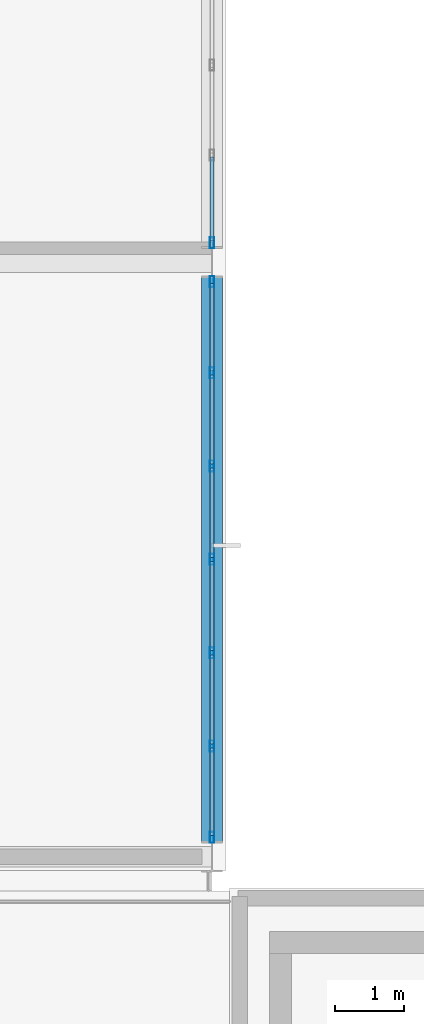
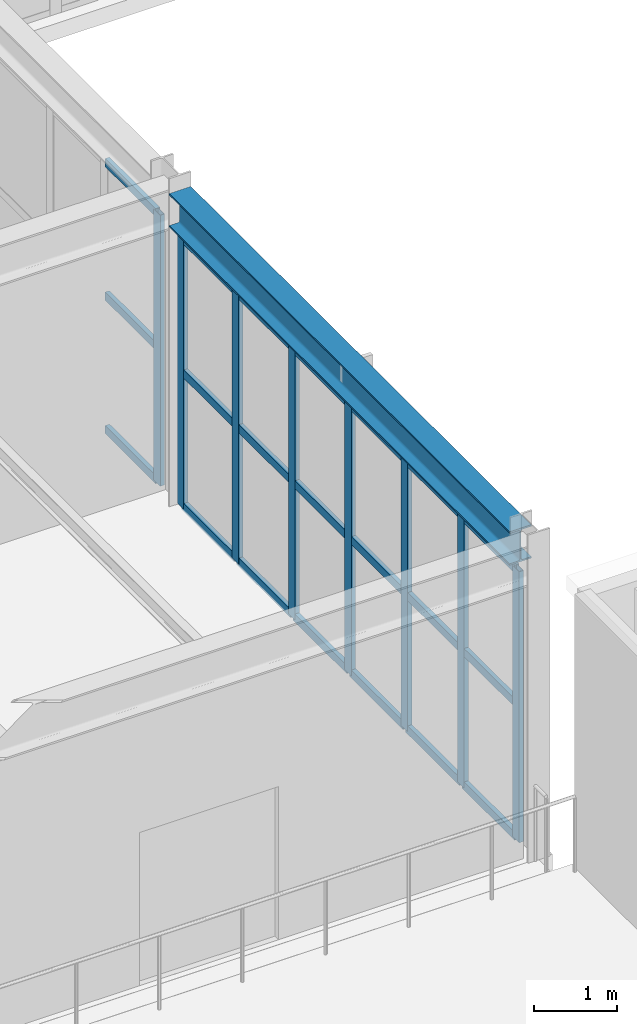
# One storey, part 39 of 112: 29 members, 1 beam, 2 elements without a shape of their own.
"""IFC4 building model written with IfcOpenShell, lengths in metres."""

from ifc_helpers import new_model, si_unit, direction, frame, origin, origin_2d, place, context, subcontext, project, spatial, hollow_rectangle, i_section, extrude, material, material_profile, profile_set, type_object, element, aggregate, save


model = new_model("IFC4")

# Units and contexts
model_context = context("Model", 3, precision=1e-05, world=origin(), true_north=direction((0.0, 1.0)))
body_context = subcontext(model_context, "Body", "Model", "MODEL_VIEW")
ifc_project = project(units=[si_unit("LENGTHUNIT", "METRE"), si_unit("AREAUNIT", "SQUARE_METRE"), si_unit("VOLUMEUNIT", "CUBIC_METRE"), si_unit("PLANEANGLEUNIT", "RADIAN"), si_unit("MASSUNIT", "GRAM", prefix="KILO")], contexts=[model_context])

# Site, building, storey
site_placement = place(None, origin())
site = spatial("IfcSite", under=ifc_project, at=site_placement, CompositionType="ELEMENT")
building_placement = place(site_placement, origin())
building = spatial("IfcBuilding", under=site, at=building_placement, Name="Kaldris Quays Convention Centre", CompositionType="ELEMENT")
storey_placement = place(building_placement, frame((0.0, 0.0, 16.800048828125)))
storey = spatial("IfcBuildingStorey", under=building, at=storey_placement, Name="L03", CompositionType="ELEMENT", Elevation=16.800048828125)

# Curtain wall, members
ifc_material_1 = material(Name="Anodized aluminium AW-6060 and triple glazing", Category="aluminium")
curtain_wall_type = type_object("IfcCurtainWallType", Name="UNITISED CURTAIN WALL CW04", PredefinedType="NOTDEFINED", material=ifc_material_1)
curtain_wall_1_placement = place(storey_placement, origin())
curtain_wall_1 = element("IfcCurtainWall", 1, at=curtain_wall_1_placement, inside=storey, type_object=curtain_wall_type, Name="L03 Unitised Curtain Wall CW04 146", PredefinedType="NOTDEFINED")
ifc_material_2 = material(Name="Anodized aluminium AW-6060", Category="aluminium")
ifc_material_profile_1 = material_profile(ifc_material_2, hollow_rectangle(XDim=0.06005859375, YDim=0.159912109375, WallThickness=0.00390625, at=origin_2d()), Name="RHS 160x60x4")
ifc_profile_set_1 = profile_set([ifc_material_profile_1], Name="Anodized aluminium AW-6060")
member_type_1 = type_object("IfcMemberType", Name="CURTAIN MULLION CWM1", PredefinedType="MULLION", material=ifc_profile_set_1)
member_1_placement = place(storey_placement, frame((164.0, 38.280029296875, 0.0), z_axis=(0.0, 0.0, 1.0), x_axis=(-1.0, 0.0, 0.0)))
member_1 = element("IfcMember", 2, at=member_1_placement, type_object=member_type_1, Name="CW04 mullion 1", PredefinedType="MULLION", context=body_context, shape_type="SweptSolid", body=[
    extrude(hollow_rectangle(XDim=0.06005859375, YDim=0.159912109375, WallThickness=0.00390625, at=origin_2d()), origin(), (0.0, 0.0, 1.0), 3.96484375),
])
member_2_placement = place(storey_placement, frame((164.0, 39.60009765625, 0.0), z_axis=(0.0, 0.0, 1.0), x_axis=(-1.0, 0.0, 0.0)))
member_2 = element("IfcMember", 3, at=member_2_placement, type_object=member_type_1, Name="CW04 mullion 2", PredefinedType="MULLION", context=body_context, shape_type="SweptSolid", body=[
    extrude(hollow_rectangle(XDim=0.06005859375, YDim=0.159912109375, WallThickness=0.00390625, at=origin_2d()), origin(), (0.0, 0.0, 1.0), 3.96484375),
])
member_3_placement = place(storey_placement, frame((164.0, 40.949951171875, 0.0), z_axis=(0.0, 0.0, 1.0), x_axis=(-1.0, 0.0, 0.0)))
member_3 = element("IfcMember", 4, at=member_3_placement, type_object=member_type_1, Name="CW04 mullion 3", PredefinedType="MULLION", context=body_context, shape_type="SweptSolid", body=[
    extrude(hollow_rectangle(XDim=0.06005859375, YDim=0.159912109375, WallThickness=0.00390625, at=origin_2d()), origin(), (0.0, 0.0, 1.0), 3.96484375),
])
member_4_placement = place(storey_placement, frame((164.0, 42.300048828125, 0.0), z_axis=(0.0, 0.0, 1.0), x_axis=(-1.0, 0.0, 0.0)))
member_4 = element("IfcMember", 5, at=member_4_placement, type_object=member_type_1, Name="CW04 mullion 4", PredefinedType="MULLION", context=body_context, shape_type="SweptSolid", body=[
    extrude(hollow_rectangle(XDim=0.06005859375, YDim=0.159912109375, WallThickness=0.00390625, at=origin_2d()), origin(), (0.0, 0.0, 1.0), 3.96484375),
])
member_5_placement = place(storey_placement, frame((164.0, 43.64990234375, 0.0), z_axis=(0.0, 0.0, 1.0), x_axis=(-1.0, 0.0, 0.0)))
member_5 = element("IfcMember", 6, at=member_5_placement, type_object=member_type_1, Name="CW04 mullion 5", PredefinedType="MULLION", context=body_context, shape_type="SweptSolid", body=[
    extrude(hollow_rectangle(XDim=0.06005859375, YDim=0.159912109375, WallThickness=0.00390625, at=origin_2d()), origin(), (0.0, 0.0, 1.0), 3.96484375),
])
member_6_placement = place(storey_placement, frame((164.0, 45.0, 0.0), z_axis=(0.0, 0.0, 1.0), x_axis=(-1.0, 0.0, 0.0)))
member_6 = element("IfcMember", 7, at=member_6_placement, type_object=member_type_1, Name="CW04 mullion 6", PredefinedType="MULLION", context=body_context, shape_type="SweptSolid", body=[
    extrude(hollow_rectangle(XDim=0.06005859375, YDim=0.159912109375, WallThickness=0.00390625, at=origin_2d()), origin(), (0.0, 0.0, 1.0), 3.96484375),
])
member_7_placement = place(storey_placement, frame((164.0, 46.320068359375, 0.0), z_axis=(0.0, 0.0, 1.0), x_axis=(-1.0, 0.0, 0.0)))
member_7 = element("IfcMember", 8, at=member_7_placement, type_object=member_type_1, Name="CW04 mullion 7", PredefinedType="MULLION", context=body_context, shape_type="SweptSolid", body=[
    extrude(hollow_rectangle(XDim=0.06005859375, YDim=0.159912109375, WallThickness=0.00390625, at=origin_2d()), origin(), (0.0, 0.0, 1.0), 3.96484375),
])

# Curtain wall, member
curtain_wall_2_placement = place(storey_placement, origin())
curtain_wall_2 = element("IfcCurtainWall", 9, at=curtain_wall_2_placement, inside=storey, type_object=curtain_wall_type, Name="L03 Unitised Curtain Wall CW04 147", PredefinedType="NOTDEFINED")
member_8_placement = place(storey_placement, frame((164.0, 46.8798828125, 0.0), z_axis=(0.0, 0.0, 1.0), x_axis=(-1.0, 0.0, 0.0)))
member_8 = element("IfcMember", 10, at=member_8_placement, type_object=member_type_1, Name="CW04 mullion 1", PredefinedType="MULLION", context=body_context, shape_type="SweptSolid", body=[
    extrude(hollow_rectangle(XDim=0.06005859375, YDim=0.159912109375, WallThickness=0.00390625, at=origin_2d()), origin(), (0.0, 0.0, 1.0), 3.96484375),
])

# Member
ifc_material_profile_2 = material_profile(ifc_material_2, hollow_rectangle(XDim=0.06005859375, YDim=0.1201171875, WallThickness=0.00390625, at=origin_2d()), Name="RHS 120x60x4")
ifc_profile_set_2 = profile_set([ifc_material_profile_2], Name="Anodized aluminium AW-6060")
member_type_2 = type_object("IfcMemberType", Name="CURTAIN TRANSOM CWT1", PredefinedType="USERDEFINED", material=ifc_profile_set_2)
member_9_placement = place(storey_placement, frame((164.0, 38.31005859375, 0.030029296875), z_axis=(0.0, 1.0, 0.0), x_axis=(-1.0, 0.0, 0.0)))
member_9 = element("IfcMember", 11, at=member_9_placement, type_object=member_type_2, Name="CW04 transom 1.1", ObjectType="TRANSOM", PredefinedType="USERDEFINED", context=body_context, shape_type="SweptSolid", body=[
    extrude(hollow_rectangle(XDim=0.06005859375, YDim=0.1201171875, WallThickness=0.00390625, at=origin_2d()), origin(), (0.0, 0.0, 1.0), 1.260009765625),
])

member_10_placement = place(storey_placement, frame((164.0, 38.31005859375, 1.98193359375), z_axis=(0.0, 1.0, 0.0), x_axis=(-1.0, 0.0, 0.0)))
member_10 = element("IfcMember", 12, at=member_10_placement, type_object=member_type_2, Name="CW04 transom 1.2", ObjectType="TRANSOM", PredefinedType="USERDEFINED", context=body_context, shape_type="SweptSolid", body=[
    extrude(hollow_rectangle(XDim=0.06005859375, YDim=0.1201171875, WallThickness=0.00390625, at=origin_2d()), origin(), (0.0, 0.0, 1.0), 1.260009765625),
])

member_11_placement = place(storey_placement, frame((164.0, 38.31005859375, 3.93505859375), z_axis=(0.0, 1.0, 0.0), x_axis=(-1.0, 0.0, 0.0)))
member_11 = element("IfcMember", 13, at=member_11_placement, type_object=member_type_2, Name="CW04 transom 1.3", ObjectType="TRANSOM", PredefinedType="USERDEFINED", context=body_context, shape_type="SweptSolid", body=[
    extrude(hollow_rectangle(XDim=0.06005859375, YDim=0.1201171875, WallThickness=0.00390625, at=origin_2d()), origin(), (0.0, 0.0, 1.0), 1.260009765625),
])

member_12_placement = place(storey_placement, frame((164.0, 39.6298828125, 0.030029296875), z_axis=(0.0, 1.0, 0.0), x_axis=(-1.0, 0.0, 0.0)))
member_12 = element("IfcMember", 14, at=member_12_placement, type_object=member_type_2, Name="CW04 transom 2.1", ObjectType="TRANSOM", PredefinedType="USERDEFINED", context=body_context, shape_type="SweptSolid", body=[
    extrude(hollow_rectangle(XDim=0.06005859375, YDim=0.1201171875, WallThickness=0.00390625, at=origin_2d()), origin(), (0.0, 0.0, 1.0), 1.2900390625),
])

member_13_placement = place(storey_placement, frame((164.0, 39.6298828125, 1.98193359375), z_axis=(0.0, 1.0, 0.0), x_axis=(-1.0, 0.0, 0.0)))
member_13 = element("IfcMember", 15, at=member_13_placement, type_object=member_type_2, Name="CW04 transom 2.2", ObjectType="TRANSOM", PredefinedType="USERDEFINED", context=body_context, shape_type="SweptSolid", body=[
    extrude(hollow_rectangle(XDim=0.06005859375, YDim=0.1201171875, WallThickness=0.00390625, at=origin_2d()), origin(), (0.0, 0.0, 1.0), 1.2900390625),
])

member_14_placement = place(storey_placement, frame((164.0, 39.6298828125, 3.93505859375), z_axis=(0.0, 1.0, 0.0), x_axis=(-1.0, 0.0, 0.0)))
member_14 = element("IfcMember", 16, at=member_14_placement, type_object=member_type_2, Name="CW04 transom 2.3", ObjectType="TRANSOM", PredefinedType="USERDEFINED", context=body_context, shape_type="SweptSolid", body=[
    extrude(hollow_rectangle(XDim=0.06005859375, YDim=0.1201171875, WallThickness=0.00390625, at=origin_2d()), origin(), (0.0, 0.0, 1.0), 1.2900390625),
])

member_15_placement = place(storey_placement, frame((164.0, 40.97998046875, 0.030029296875), z_axis=(0.0, 1.0, 0.0), x_axis=(-1.0, 0.0, 0.0)))
member_15 = element("IfcMember", 17, at=member_15_placement, type_object=member_type_2, Name="CW04 transom 3.1", ObjectType="TRANSOM", PredefinedType="USERDEFINED", context=body_context, shape_type="SweptSolid", body=[
    extrude(hollow_rectangle(XDim=0.06005859375, YDim=0.1201171875, WallThickness=0.00390625, at=origin_2d()), origin(), (0.0, 0.0, 1.0), 1.2900390625),
])

member_16_placement = place(storey_placement, frame((164.0, 40.97998046875, 1.98193359375), z_axis=(0.0, 1.0, 0.0), x_axis=(-1.0, 0.0, 0.0)))
member_16 = element("IfcMember", 18, at=member_16_placement, type_object=member_type_2, Name="CW04 transom 3.2", ObjectType="TRANSOM", PredefinedType="USERDEFINED", context=body_context, shape_type="SweptSolid", body=[
    extrude(hollow_rectangle(XDim=0.06005859375, YDim=0.1201171875, WallThickness=0.00390625, at=origin_2d()), origin(), (0.0, 0.0, 1.0), 1.2900390625),
])

member_17_placement = place(storey_placement, frame((164.0, 40.97998046875, 3.93505859375), z_axis=(0.0, 1.0, 0.0), x_axis=(-1.0, 0.0, 0.0)))
member_17 = element("IfcMember", 19, at=member_17_placement, type_object=member_type_2, Name="CW04 transom 3.3", ObjectType="TRANSOM", PredefinedType="USERDEFINED", context=body_context, shape_type="SweptSolid", body=[
    extrude(hollow_rectangle(XDim=0.06005859375, YDim=0.1201171875, WallThickness=0.00390625, at=origin_2d()), origin(), (0.0, 0.0, 1.0), 1.2900390625),
])

member_18_placement = place(storey_placement, frame((164.0, 42.330078125, 0.030029296875), z_axis=(0.0, 1.0, 0.0), x_axis=(-1.0, 0.0, 0.0)))
member_18 = element("IfcMember", 20, at=member_18_placement, type_object=member_type_2, Name="CW04 transom 4.1", ObjectType="TRANSOM", PredefinedType="USERDEFINED", context=body_context, shape_type="SweptSolid", body=[
    extrude(hollow_rectangle(XDim=0.06005859375, YDim=0.1201171875, WallThickness=0.00390625, at=origin_2d()), origin(), (0.0, 0.0, 1.0), 1.2900390625),
])

member_19_placement = place(storey_placement, frame((164.0, 42.330078125, 1.98193359375), z_axis=(0.0, 1.0, 0.0), x_axis=(-1.0, 0.0, 0.0)))
member_19 = element("IfcMember", 21, at=member_19_placement, type_object=member_type_2, Name="CW04 transom 4.2", ObjectType="TRANSOM", PredefinedType="USERDEFINED", context=body_context, shape_type="SweptSolid", body=[
    extrude(hollow_rectangle(XDim=0.06005859375, YDim=0.1201171875, WallThickness=0.00390625, at=origin_2d()), origin(), (0.0, 0.0, 1.0), 1.2900390625),
])

member_20_placement = place(storey_placement, frame((164.0, 42.330078125, 3.93505859375), z_axis=(0.0, 1.0, 0.0), x_axis=(-1.0, 0.0, 0.0)))
member_20 = element("IfcMember", 22, at=member_20_placement, type_object=member_type_2, Name="CW04 transom 4.3", ObjectType="TRANSOM", PredefinedType="USERDEFINED", context=body_context, shape_type="SweptSolid", body=[
    extrude(hollow_rectangle(XDim=0.06005859375, YDim=0.1201171875, WallThickness=0.00390625, at=origin_2d()), origin(), (0.0, 0.0, 1.0), 1.2900390625),
])

member_21_placement = place(storey_placement, frame((164.0, 43.679931640625, 0.030029296875), z_axis=(0.0, 1.0, 0.0), x_axis=(-1.0, 0.0, 0.0)))
member_21 = element("IfcMember", 23, at=member_21_placement, type_object=member_type_2, Name="CW04 transom 5.1", ObjectType="TRANSOM", PredefinedType="USERDEFINED", context=body_context, shape_type="SweptSolid", body=[
    extrude(hollow_rectangle(XDim=0.06005859375, YDim=0.1201171875, WallThickness=0.00390625, at=origin_2d()), origin(), (0.0, 0.0, 1.0), 1.2900390625),
])

member_22_placement = place(storey_placement, frame((164.0, 43.679931640625, 1.98193359375), z_axis=(0.0, 1.0, 0.0), x_axis=(-1.0, 0.0, 0.0)))
member_22 = element("IfcMember", 24, at=member_22_placement, type_object=member_type_2, Name="CW04 transom 5.2", ObjectType="TRANSOM", PredefinedType="USERDEFINED", context=body_context, shape_type="SweptSolid", body=[
    extrude(hollow_rectangle(XDim=0.06005859375, YDim=0.1201171875, WallThickness=0.00390625, at=origin_2d()), origin(), (0.0, 0.0, 1.0), 1.2900390625),
])

member_23_placement = place(storey_placement, frame((164.0, 43.679931640625, 3.93505859375), z_axis=(0.0, 1.0, 0.0), x_axis=(-1.0, 0.0, 0.0)))
member_23 = element("IfcMember", 25, at=member_23_placement, type_object=member_type_2, Name="CW04 transom 5.3", ObjectType="TRANSOM", PredefinedType="USERDEFINED", context=body_context, shape_type="SweptSolid", body=[
    extrude(hollow_rectangle(XDim=0.06005859375, YDim=0.1201171875, WallThickness=0.00390625, at=origin_2d()), origin(), (0.0, 0.0, 1.0), 1.2900390625),
])

member_24_placement = place(storey_placement, frame((164.0, 45.030029296875, 0.030029296875), z_axis=(0.0, 1.0, 0.0), x_axis=(-1.0, 0.0, 0.0)))
member_24 = element("IfcMember", 26, at=member_24_placement, type_object=member_type_2, Name="CW04 transom 6.1", ObjectType="TRANSOM", PredefinedType="USERDEFINED", context=body_context, shape_type="SweptSolid", body=[
    extrude(hollow_rectangle(XDim=0.06005859375, YDim=0.1201171875, WallThickness=0.00390625, at=origin_2d()), origin(), (0.0, 0.0, 1.0), 1.260009765625),
])

member_25_placement = place(storey_placement, frame((164.0, 45.030029296875, 1.98193359375), z_axis=(0.0, 1.0, 0.0), x_axis=(-1.0, 0.0, 0.0)))
member_25 = element("IfcMember", 27, at=member_25_placement, type_object=member_type_2, Name="CW04 transom 6.2", ObjectType="TRANSOM", PredefinedType="USERDEFINED", context=body_context, shape_type="SweptSolid", body=[
    extrude(hollow_rectangle(XDim=0.06005859375, YDim=0.1201171875, WallThickness=0.00390625, at=origin_2d()), origin(), (0.0, 0.0, 1.0), 1.260009765625),
])

member_26_placement = place(storey_placement, frame((164.0, 45.030029296875, 3.93505859375), z_axis=(0.0, 1.0, 0.0), x_axis=(-1.0, 0.0, 0.0)))
member_26 = element("IfcMember", 28, at=member_26_placement, type_object=member_type_2, Name="CW04 transom 6.3", ObjectType="TRANSOM", PredefinedType="USERDEFINED", context=body_context, shape_type="SweptSolid", body=[
    extrude(hollow_rectangle(XDim=0.06005859375, YDim=0.1201171875, WallThickness=0.00390625, at=origin_2d()), origin(), (0.0, 0.0, 1.0), 1.260009765625),
])

aggregate(curtain_wall_1, [member_1, member_2, member_3, member_4, member_5, member_6, member_7, member_9, member_10, member_11, member_12, member_13, member_14, member_15, member_16, member_17, member_18, member_19, member_20, member_21, member_22, member_23, member_24, member_25, member_26])

member_27_placement = place(storey_placement, frame((164.0, 46.909912109375, 0.030029296875), z_axis=(0.0, 1.0, 0.0), x_axis=(-1.0, 0.0, 0.0)))
member_27 = element("IfcMember", 29, at=member_27_placement, type_object=member_type_2, Name="CW04 transom 1.1", ObjectType="TRANSOM", PredefinedType="USERDEFINED", context=body_context, shape_type="SweptSolid", body=[
    extrude(hollow_rectangle(XDim=0.06005859375, YDim=0.1201171875, WallThickness=0.00390625, at=origin_2d()), origin(), (0.0, 0.0, 1.0), 1.210205078125),
])

member_28_placement = place(storey_placement, frame((164.0, 46.909912109375, 1.98193359375), z_axis=(0.0, 1.0, 0.0), x_axis=(-1.0, 0.0, 0.0)))
member_28 = element("IfcMember", 30, at=member_28_placement, type_object=member_type_2, Name="CW04 transom 1.2", ObjectType="TRANSOM", PredefinedType="USERDEFINED", context=body_context, shape_type="SweptSolid", body=[
    extrude(hollow_rectangle(XDim=0.06005859375, YDim=0.1201171875, WallThickness=0.00390625, at=origin_2d()), origin(), (0.0, 0.0, 1.0), 1.210205078125),
])

member_29_placement = place(storey_placement, frame((164.0, 46.909912109375, 3.93505859375), z_axis=(0.0, 1.0, 0.0), x_axis=(-1.0, 0.0, 0.0)))
member_29 = element("IfcMember", 31, at=member_29_placement, type_object=member_type_2, Name="CW04 transom 1.3", ObjectType="TRANSOM", PredefinedType="USERDEFINED", context=body_context, shape_type="SweptSolid", body=[
    extrude(hollow_rectangle(XDim=0.06005859375, YDim=0.1201171875, WallThickness=0.00390625, at=origin_2d()), origin(), (0.0, 0.0, 1.0), 1.210205078125),
])

aggregate(curtain_wall_2, [member_8, member_27, member_28, member_29])

# Beam
ifc_material_3 = material(Name="Steel S355J2", Category="steel")
ifc_material_profile_3 = material_profile(ifc_material_3, i_section(OverallWidth=0.300048828125, OverallDepth=0.489990234375, WebThickness=0.011962890625, FlangeThickness=0.02294921875, FilletRadius=0.027099609375, at=origin_2d()), Name="HEA 500")
ifc_profile_set_3 = profile_set([ifc_material_profile_3], Name="Steel S355J2")
beam_type = type_object("IfcBeamType", Name="STRUCTURAL BEAM BM09", PredefinedType="BEAM", material=ifc_profile_set_3)
beam_placement = place(storey_placement, frame((164.0, 38.218994140625, 4.3349609375), z_axis=(0.0, 1.0, 0.0), x_axis=(-1.0, 0.0, 0.0)))
element("IfcBeam", 32, at=beam_placement, inside=storey, type_object=beam_type, Name="L03 Girder BM09 90", PredefinedType="BEAM", context=body_context, shape_type="SweptSolid", body=[
    extrude(i_section(OverallWidth=0.300048828125, OverallDepth=0.489990234375, WebThickness=0.011962890625, FlangeThickness=0.02294921875, FilletRadius=0.027099609375, at=origin_2d()), origin(), (0.0, 0.0, 1.0), 8.162109375),
])

save(model, "model.ifc")
